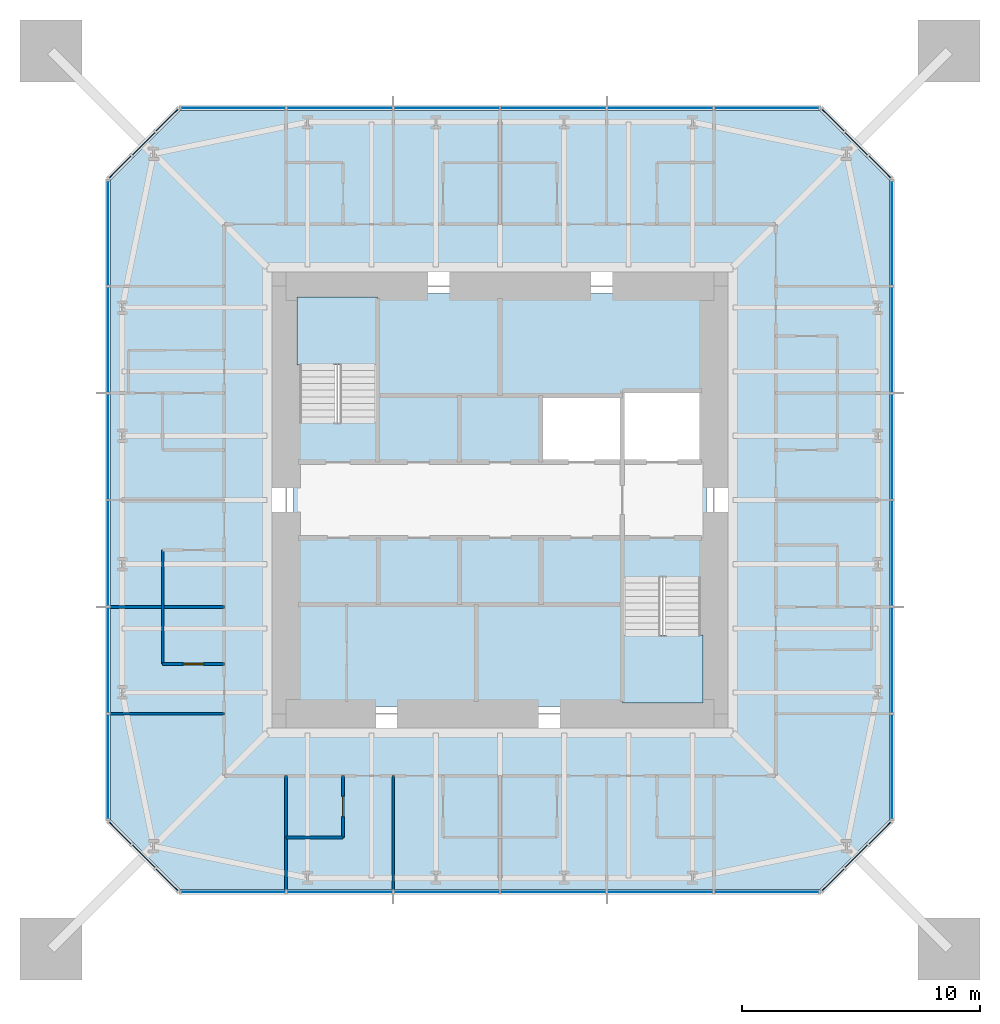
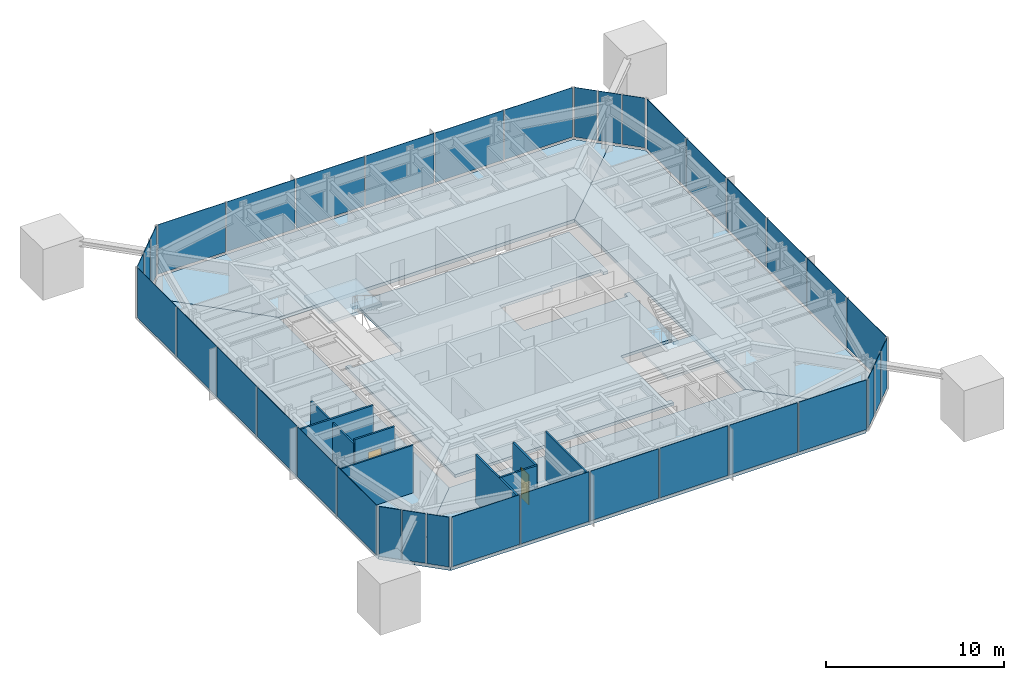
# One storey, part 5 of 10: 36 plates, 8 walls, 7 slabs, 2 doors, 2 openings, 10 elements without a shape of their own.
"""IFC4 building model written with IfcOpenShell, lengths in metres."""

from ifc_helpers import new_model, si_unit, direction, frame, frame_2d, origin, origin_2d, place, context, subcontext, project, spatial, polyline, rectangle, outline, extrude, material, layer, layer_set, constituent, constituent_set, type_object, element, fill, aggregate, save


model = new_model("IFC4")

# Units and contexts
model_context = context("Model", 3, precision=1e-05, world=origin(), true_north=direction((0.0, 1.0)))
body_context = subcontext(model_context, "Body", "Model", "MODEL_VIEW")
ifc_project = project(units=[si_unit("LENGTHUNIT", "METRE"), si_unit("AREAUNIT", "SQUARE_METRE"), si_unit("VOLUMEUNIT", "CUBIC_METRE"), si_unit("PLANEANGLEUNIT", "RADIAN"), si_unit("MASSUNIT", "GRAM", prefix="KILO")], contexts=[model_context])

# Site, building, storey
site_placement = place(None, origin())
site = spatial("IfcSite", under=ifc_project, at=site_placement, CompositionType="ELEMENT")
building_placement = place(site_placement, origin())
building = spatial("IfcBuilding", under=site, at=building_placement, Name="Iwan Alto Co-Living Towers", CompositionType="ELEMENT")
storey_placement = place(building_placement, frame((0.0, 0.0, 225.5)))
storey = spatial("IfcBuildingStorey", under=building, at=storey_placement, Name="L61", CompositionType="ELEMENT", Elevation=225.5)

# Slab
ifc_material_1 = material(Name="Concrete f'c 30 MPa", Category="concrete")
ifc_layer_1 = layer(ifc_material_1, 0.199951171875)
ifc_layer_set_1 = layer_set([ifc_layer_1], Name="CORE FLOOR SLAB 200")
slab_type_1 = type_object("IfcSlabType", Name="CORE FLOOR SLAB 200", PredefinedType="FLOOR", material=ifc_layer_set_1)
slab_1_placement = place(storey_placement, frame((0.0, 0.0, -0.199951171875)))
element("IfcSlab", 1, at=slab_1_placement, inside=storey, type_object=slab_type_1, Name="T1 core floor L61", PredefinedType="FLOOR", context=body_context, shape_type="SweptSolid", body=[
    extrude(outline(polyline([(-8.699951171875, 3.580078125), (-8.39990234375, 3.580078125), (-8.39990234375, 3.27001953125), (-5.14990234375, 3.27001953125), (-5.14990234375, 8.39990234375), (-5.4599609375, 8.39990234375), (-5.4599609375, 8.699951171875), (8.699951171875, 8.699951171875), (8.699951171875, 4.2900390625), (8.39990234375, 4.2900390625), (8.39990234375, 4.60009765625), (5.14990234375, 4.60009765625), (5.14990234375, 4.39990234375), (1.717041015625, 4.39990234375), (1.717041015625, 1.60009765625), (5.14990234375, 1.60009765625), (8.39990234375, 1.60009765625), (8.39990234375, 1.909912109375), (8.699951171875, 1.909912109375), (8.699951171875, -3.580078125), (8.39990234375, -3.580078125), (8.39990234375, -3.27001953125), (5.14990234375, -3.27001953125), (5.14990234375, -8.39990234375), (5.4599609375, -8.39990234375), (5.4599609375, -8.699951171875), (-8.699951171875, -8.699951171875), (-8.699951171875, 3.580078125)])), origin(), (0.0, 0.0, 1.0), 0.199951171875),
])

# Curtain wall, plates
ifc_material_2 = material(Name="Bronze aluminium unitised frame", Category="aluminium")
curtain_wall_type_1 = type_object("IfcCurtainWallType", Name="CURTAIN WALL CW-A", PredefinedType="NOTDEFINED", material=ifc_material_2)
curtain_wall_1_placement = place(storey_placement, origin())
curtain_wall_1 = element("IfcCurtainWall", 2, at=curtain_wall_1_placement, inside=storey, type_object=curtain_wall_type_1, Name="T1 curtain wall S L61", PredefinedType="NOTDEFINED")
ifc_material_3 = material(Name="Bronze-tinted insulating glass", Category="glass")
ifc_layer_2 = layer(ifc_material_3, 0.031982421875)
ifc_layer_set_2 = layer_set([ifc_layer_2], Name="CW-A PANEL TINTED IGU 32")
plate_type_1 = type_object("IfcPlateType", Name="CW-A PANEL TINTED IGU 32", PredefinedType="CURTAIN_PANEL", material=ifc_layer_set_2)
plate_1_placement = place(storey_placement, frame((-11.22998046875, -16.5, 0.10009765625), z_axis=(0.0, 0.0, 1.0), x_axis=(1.0, 0.0, 0.0)))
plate_1 = element("IfcPlate", 3, at=plate_1_placement, type_object=plate_type_1, Name="CW-A panel 1.1", PredefinedType="CURTAIN_PANEL", context=body_context, shape_type="SweptSolid", body=[
    extrude(rectangle(XDim=4.3798828125, YDim=0.031982421875, at=origin_2d()), origin(), (0.0, 0.0, 1.0), 3.39990234375),
])
plate_2_placement = place(storey_placement, frame((-6.75, -16.5, 0.10009765625), z_axis=(0.0, 0.0, 1.0), x_axis=(1.0, 0.0, 0.0)))
plate_2 = element("IfcPlate", 4, at=plate_2_placement, type_object=plate_type_1, Name="CW-A panel 2.1", PredefinedType="CURTAIN_PANEL", context=body_context, shape_type="SweptSolid", body=[
    extrude(rectangle(XDim=4.419921875, YDim=0.031982421875, at=origin_2d()), origin(), (0.0, 0.0, 1.0), 3.39990234375),
])
plate_3_placement = place(storey_placement, frame((-2.25, -16.5, 0.10009765625), z_axis=(0.0, 0.0, 1.0), x_axis=(1.0, 0.0, 0.0)))
plate_3 = element("IfcPlate", 5, at=plate_3_placement, type_object=plate_type_1, Name="CW-A panel 3.1", PredefinedType="CURTAIN_PANEL", context=body_context, shape_type="SweptSolid", body=[
    extrude(rectangle(XDim=4.419921875, YDim=0.031982421875, at=origin_2d()), origin(), (0.0, 0.0, 1.0), 3.39990234375),
])
plate_4_placement = place(storey_placement, frame((2.25, -16.5, 0.10009765625), z_axis=(0.0, 0.0, 1.0), x_axis=(1.0, 0.0, 0.0)))
plate_4 = element("IfcPlate", 6, at=plate_4_placement, type_object=plate_type_1, Name="CW-A panel 4.1", PredefinedType="CURTAIN_PANEL", context=body_context, shape_type="SweptSolid", body=[
    extrude(rectangle(XDim=4.419921875, YDim=0.031982421875, at=origin_2d()), origin(), (0.0, 0.0, 1.0), 3.39990234375),
])
plate_5_placement = place(storey_placement, frame((6.75, -16.5, 0.10009765625), z_axis=(0.0, 0.0, 1.0), x_axis=(1.0, 0.0, 0.0)))
plate_5 = element("IfcPlate", 7, at=plate_5_placement, type_object=plate_type_1, Name="CW-A panel 5.1", PredefinedType="CURTAIN_PANEL", context=body_context, shape_type="SweptSolid", body=[
    extrude(rectangle(XDim=4.419921875, YDim=0.031982421875, at=origin_2d()), origin(), (0.0, 0.0, 1.0), 3.39990234375),
])
plate_6_placement = place(storey_placement, frame((11.22998046875, -16.5, 0.10009765625), z_axis=(0.0, 0.0, 1.0), x_axis=(1.0, 0.0, 0.0)))
plate_6 = element("IfcPlate", 8, at=plate_6_placement, type_object=plate_type_1, Name="CW-A panel 6.1", PredefinedType="CURTAIN_PANEL", context=body_context, shape_type="SweptSolid", body=[
    extrude(rectangle(XDim=4.3798828125, YDim=0.031982421875, at=origin_2d()), origin(), (0.0, 0.0, 1.0), 3.39990234375),
])
aggregate(curtain_wall_1, [plate_1, plate_2, plate_3, plate_4, plate_5, plate_6])

curtain_wall_2_placement = place(storey_placement, origin())
curtain_wall_2 = element("IfcCurtainWall", 9, at=curtain_wall_2_placement, inside=storey, type_object=curtain_wall_type_1, Name="T1 curtain wall E L61", PredefinedType="NOTDEFINED")
plate_7_placement = place(storey_placement, frame((16.5, -11.22998046875, 0.10009765625), z_axis=(0.0, 0.0, 1.0), x_axis=(0.0, 1.0, 0.0)))
plate_7 = element("IfcPlate", 10, at=plate_7_placement, type_object=plate_type_1, Name="CW-A panel 1.1", PredefinedType="CURTAIN_PANEL", context=body_context, shape_type="SweptSolid", body=[
    extrude(rectangle(XDim=4.3798828125, YDim=0.031982421875, at=origin_2d()), origin(), (0.0, 0.0, 1.0), 3.39990234375),
])
plate_8_placement = place(storey_placement, frame((16.5, -6.75, 0.10009765625), z_axis=(0.0, 0.0, 1.0), x_axis=(0.0, 1.0, 0.0)))
plate_8 = element("IfcPlate", 11, at=plate_8_placement, type_object=plate_type_1, Name="CW-A panel 2.1", PredefinedType="CURTAIN_PANEL", context=body_context, shape_type="SweptSolid", body=[
    extrude(rectangle(XDim=4.419921875, YDim=0.031982421875, at=origin_2d()), origin(), (0.0, 0.0, 1.0), 3.39990234375),
])
plate_9_placement = place(storey_placement, frame((16.5, -2.25, 0.10009765625), z_axis=(0.0, 0.0, 1.0), x_axis=(0.0, 1.0, 0.0)))
plate_9 = element("IfcPlate", 12, at=plate_9_placement, type_object=plate_type_1, Name="CW-A panel 3.1", PredefinedType="CURTAIN_PANEL", context=body_context, shape_type="SweptSolid", body=[
    extrude(rectangle(XDim=4.419921875, YDim=0.031982421875, at=origin_2d()), origin(), (0.0, 0.0, 1.0), 3.39990234375),
])
plate_10_placement = place(storey_placement, frame((16.5, 2.25, 0.10009765625), z_axis=(0.0, 0.0, 1.0), x_axis=(0.0, 1.0, 0.0)))
plate_10 = element("IfcPlate", 13, at=plate_10_placement, type_object=plate_type_1, Name="CW-A panel 4.1", PredefinedType="CURTAIN_PANEL", context=body_context, shape_type="SweptSolid", body=[
    extrude(rectangle(XDim=4.419921875, YDim=0.031982421875, at=origin_2d()), origin(), (0.0, 0.0, 1.0), 3.39990234375),
])
plate_11_placement = place(storey_placement, frame((16.5, 6.75, 0.10009765625), z_axis=(0.0, 0.0, 1.0), x_axis=(0.0, 1.0, 0.0)))
plate_11 = element("IfcPlate", 14, at=plate_11_placement, type_object=plate_type_1, Name="CW-A panel 5.1", PredefinedType="CURTAIN_PANEL", context=body_context, shape_type="SweptSolid", body=[
    extrude(rectangle(XDim=4.419921875, YDim=0.031982421875, at=origin_2d()), origin(), (0.0, 0.0, 1.0), 3.39990234375),
])
plate_12_placement = place(storey_placement, frame((16.5, 11.22998046875, 0.10009765625), z_axis=(0.0, 0.0, 1.0), x_axis=(0.0, 1.0, 0.0)))
plate_12 = element("IfcPlate", 15, at=plate_12_placement, type_object=plate_type_1, Name="CW-A panel 6.1", PredefinedType="CURTAIN_PANEL", context=body_context, shape_type="SweptSolid", body=[
    extrude(rectangle(XDim=4.3798828125, YDim=0.031982421875, at=origin_2d()), origin(), (0.0, 0.0, 1.0), 3.39990234375),
])
aggregate(curtain_wall_2, [plate_7, plate_8, plate_9, plate_10, plate_11, plate_12])

curtain_wall_3_placement = place(storey_placement, origin())
curtain_wall_3 = element("IfcCurtainWall", 16, at=curtain_wall_3_placement, inside=storey, type_object=curtain_wall_type_1, Name="T1 curtain wall N L61", PredefinedType="NOTDEFINED")
plate_13_placement = place(storey_placement, frame((11.22998046875, 16.5, 0.10009765625), z_axis=(0.0, 0.0, 1.0), x_axis=(-1.0, 0.0, 0.0)))
plate_13 = element("IfcPlate", 17, at=plate_13_placement, type_object=plate_type_1, Name="CW-A panel 1.1", PredefinedType="CURTAIN_PANEL", context=body_context, shape_type="SweptSolid", body=[
    extrude(rectangle(XDim=4.3798828125, YDim=0.031982421875, at=origin_2d()), origin(), (0.0, 0.0, 1.0), 3.39990234375),
])
plate_14_placement = place(storey_placement, frame((6.75, 16.5, 0.10009765625), z_axis=(0.0, 0.0, 1.0), x_axis=(-1.0, 0.0, 0.0)))
plate_14 = element("IfcPlate", 18, at=plate_14_placement, type_object=plate_type_1, Name="CW-A panel 2.1", PredefinedType="CURTAIN_PANEL", context=body_context, shape_type="SweptSolid", body=[
    extrude(rectangle(XDim=4.419921875, YDim=0.031982421875, at=origin_2d()), origin(), (0.0, 0.0, 1.0), 3.39990234375),
])
plate_15_placement = place(storey_placement, frame((2.25, 16.5, 0.10009765625), z_axis=(0.0, 0.0, 1.0), x_axis=(-1.0, 0.0, 0.0)))
plate_15 = element("IfcPlate", 19, at=plate_15_placement, type_object=plate_type_1, Name="CW-A panel 3.1", PredefinedType="CURTAIN_PANEL", context=body_context, shape_type="SweptSolid", body=[
    extrude(rectangle(XDim=4.419921875, YDim=0.031982421875, at=origin_2d()), origin(), (0.0, 0.0, 1.0), 3.39990234375),
])
plate_16_placement = place(storey_placement, frame((-2.25, 16.5, 0.10009765625), z_axis=(0.0, 0.0, 1.0), x_axis=(-1.0, 0.0, 0.0)))
plate_16 = element("IfcPlate", 20, at=plate_16_placement, type_object=plate_type_1, Name="CW-A panel 4.1", PredefinedType="CURTAIN_PANEL", context=body_context, shape_type="SweptSolid", body=[
    extrude(rectangle(XDim=4.419921875, YDim=0.031982421875, at=origin_2d()), origin(), (0.0, 0.0, 1.0), 3.39990234375),
])
plate_17_placement = place(storey_placement, frame((-6.75, 16.5, 0.10009765625), z_axis=(0.0, 0.0, 1.0), x_axis=(-1.0, 0.0, 0.0)))
plate_17 = element("IfcPlate", 21, at=plate_17_placement, type_object=plate_type_1, Name="CW-A panel 5.1", PredefinedType="CURTAIN_PANEL", context=body_context, shape_type="SweptSolid", body=[
    extrude(rectangle(XDim=4.419921875, YDim=0.031982421875, at=origin_2d()), origin(), (0.0, 0.0, 1.0), 3.39990234375),
])
plate_18_placement = place(storey_placement, frame((-11.22998046875, 16.5, 0.10009765625), z_axis=(0.0, 0.0, 1.0), x_axis=(-1.0, 0.0, 0.0)))
plate_18 = element("IfcPlate", 22, at=plate_18_placement, type_object=plate_type_1, Name="CW-A panel 6.1", PredefinedType="CURTAIN_PANEL", context=body_context, shape_type="SweptSolid", body=[
    extrude(rectangle(XDim=4.3798828125, YDim=0.031982421875, at=origin_2d()), origin(), (0.0, 0.0, 1.0), 3.39990234375),
])
aggregate(curtain_wall_3, [plate_13, plate_14, plate_15, plate_16, plate_17, plate_18])

curtain_wall_4_placement = place(storey_placement, origin())
curtain_wall_4 = element("IfcCurtainWall", 23, at=curtain_wall_4_placement, inside=storey, type_object=curtain_wall_type_1, Name="T1 curtain wall W L61", PredefinedType="NOTDEFINED")
plate_19_placement = place(storey_placement, frame((-16.5, 11.22998046875, 0.10009765625), z_axis=(0.0, 0.0, 1.0), x_axis=(0.0, -1.0, 0.0)))
plate_19 = element("IfcPlate", 24, at=plate_19_placement, type_object=plate_type_1, Name="CW-A panel 1.1", PredefinedType="CURTAIN_PANEL", context=body_context, shape_type="SweptSolid", body=[
    extrude(rectangle(XDim=4.3798828125, YDim=0.031982421875, at=origin_2d()), origin(), (0.0, 0.0, 1.0), 3.39990234375),
])
plate_20_placement = place(storey_placement, frame((-16.5, 6.75, 0.10009765625), z_axis=(0.0, 0.0, 1.0), x_axis=(0.0, -1.0, 0.0)))
plate_20 = element("IfcPlate", 25, at=plate_20_placement, type_object=plate_type_1, Name="CW-A panel 2.1", PredefinedType="CURTAIN_PANEL", context=body_context, shape_type="SweptSolid", body=[
    extrude(rectangle(XDim=4.419921875, YDim=0.031982421875, at=origin_2d()), origin(), (0.0, 0.0, 1.0), 3.39990234375),
])
plate_21_placement = place(storey_placement, frame((-16.5, 2.25, 0.10009765625), z_axis=(0.0, 0.0, 1.0), x_axis=(0.0, -1.0, 0.0)))
plate_21 = element("IfcPlate", 26, at=plate_21_placement, type_object=plate_type_1, Name="CW-A panel 3.1", PredefinedType="CURTAIN_PANEL", context=body_context, shape_type="SweptSolid", body=[
    extrude(rectangle(XDim=4.419921875, YDim=0.031982421875, at=origin_2d()), origin(), (0.0, 0.0, 1.0), 3.39990234375),
])
plate_22_placement = place(storey_placement, frame((-16.5, -2.25, 0.10009765625), z_axis=(0.0, 0.0, 1.0), x_axis=(0.0, -1.0, 0.0)))
plate_22 = element("IfcPlate", 27, at=plate_22_placement, type_object=plate_type_1, Name="CW-A panel 4.1", PredefinedType="CURTAIN_PANEL", context=body_context, shape_type="SweptSolid", body=[
    extrude(rectangle(XDim=4.419921875, YDim=0.031982421875, at=origin_2d()), origin(), (0.0, 0.0, 1.0), 3.39990234375),
])
plate_23_placement = place(storey_placement, frame((-16.5, -6.75, 0.10009765625), z_axis=(0.0, 0.0, 1.0), x_axis=(0.0, -1.0, 0.0)))
plate_23 = element("IfcPlate", 28, at=plate_23_placement, type_object=plate_type_1, Name="CW-A panel 5.1", PredefinedType="CURTAIN_PANEL", context=body_context, shape_type="SweptSolid", body=[
    extrude(rectangle(XDim=4.419921875, YDim=0.031982421875, at=origin_2d()), origin(), (0.0, 0.0, 1.0), 3.39990234375),
])
plate_24_placement = place(storey_placement, frame((-16.5, -11.22998046875, 0.10009765625), z_axis=(0.0, 0.0, 1.0), x_axis=(0.0, -1.0, 0.0)))
plate_24 = element("IfcPlate", 29, at=plate_24_placement, type_object=plate_type_1, Name="CW-A panel 6.1", PredefinedType="CURTAIN_PANEL", context=body_context, shape_type="SweptSolid", body=[
    extrude(rectangle(XDim=4.3798828125, YDim=0.031982421875, at=origin_2d()), origin(), (0.0, 0.0, 1.0), 3.39990234375),
])
aggregate(curtain_wall_4, [plate_19, plate_20, plate_21, plate_22, plate_23, plate_24])

ifc_material_4 = material(Name="Bronze aluminium unitised frame", Category="aluminium")
curtain_wall_type_2 = type_object("IfcCurtainWallType", Name="CURTAIN WALL CW-B", PredefinedType="NOTDEFINED", material=ifc_material_4)
curtain_wall_5_placement = place(storey_placement, origin())
curtain_wall_5 = element("IfcCurtainWall", 30, at=curtain_wall_5_placement, inside=storey, type_object=curtain_wall_type_2, Name="T1 chamfer curtain wall SE L61", PredefinedType="NOTDEFINED")
ifc_material_5 = material(Name="Bronze-tinted insulating glass", Category="glass")
ifc_layer_3 = layer(ifc_material_5, 0.031982421875)
ifc_layer_set_3 = layer_set([ifc_layer_3], Name="CW-B PANEL TINTED IGU 32")
plate_type_2 = type_object("IfcPlateType", Name="CW-B PANEL TINTED IGU 32", PredefinedType="CURTAIN_PANEL", material=ifc_layer_set_3)
plate_25_placement = place(storey_placement, frame((14.01416015625, -15.98583984375, 0.10009765625), z_axis=(0.0, 0.0, 1.0), x_axis=(0.707106781187, 0.707106781187, 0.0)))
plate_25 = element("IfcPlate", 31, at=plate_25_placement, type_object=plate_type_2, Name="CW-B panel 1.1", PredefinedType="CURTAIN_PANEL", context=body_context, shape_type="SweptSolid", body=[
    extrude(rectangle(XDim=1.294189453125, YDim=0.031982421875, at=origin_2d()), origin(), (0.0, 0.0, 1.0), 3.39990234375),
])
plate_26_placement = place(storey_placement, frame((15.0, -15.0, 0.10009765625), z_axis=(0.0, 0.0, 1.0), x_axis=(0.707106781187, 0.707106781187, 0.0)))
plate_26 = element("IfcPlate", 32, at=plate_26_placement, type_object=plate_type_2, Name="CW-B panel 2.1", PredefinedType="CURTAIN_PANEL", context=body_context, shape_type="SweptSolid", body=[
    extrude(rectangle(XDim=1.334228515625, YDim=0.031982421875, at=origin_2d()), origin(), (0.0, 0.0, 1.0), 3.39990234375),
])
plate_27_placement = place(storey_placement, frame((15.98583984375, -14.01416015625, 0.10009765625), z_axis=(0.0, 0.0, 1.0), x_axis=(0.707106781187, 0.707106781187, 0.0)))
plate_27 = element("IfcPlate", 33, at=plate_27_placement, type_object=plate_type_2, Name="CW-B panel 3.1", PredefinedType="CURTAIN_PANEL", context=body_context, shape_type="SweptSolid", body=[
    extrude(rectangle(XDim=1.294189453125, YDim=0.031982421875, at=origin_2d()), origin(), (0.0, 0.0, 1.0), 3.39990234375),
])
aggregate(curtain_wall_5, [plate_25, plate_26, plate_27])

curtain_wall_6_placement = place(storey_placement, origin())
curtain_wall_6 = element("IfcCurtainWall", 34, at=curtain_wall_6_placement, inside=storey, type_object=curtain_wall_type_2, Name="T1 chamfer curtain wall NE L61", PredefinedType="NOTDEFINED")
plate_28_placement = place(storey_placement, frame((15.98583984375, 14.01416015625, 0.10009765625), z_axis=(0.0, 0.0, 1.0), x_axis=(-0.707106781187, 0.707106781187, 0.0)))
plate_28 = element("IfcPlate", 35, at=plate_28_placement, type_object=plate_type_2, Name="CW-B panel 1.1", PredefinedType="CURTAIN_PANEL", context=body_context, shape_type="SweptSolid", body=[
    extrude(rectangle(XDim=1.294189453125, YDim=0.031982421875, at=origin_2d()), origin(), (0.0, 0.0, 1.0), 3.39990234375),
])
plate_29_placement = place(storey_placement, frame((15.0, 15.0, 0.10009765625), z_axis=(0.0, 0.0, 1.0), x_axis=(-0.707106781187, 0.707106781187, 0.0)))
plate_29 = element("IfcPlate", 36, at=plate_29_placement, type_object=plate_type_2, Name="CW-B panel 2.1", PredefinedType="CURTAIN_PANEL", context=body_context, shape_type="SweptSolid", body=[
    extrude(rectangle(XDim=1.334228515625, YDim=0.031982421875, at=origin_2d()), origin(), (0.0, 0.0, 1.0), 3.39990234375),
])
plate_30_placement = place(storey_placement, frame((14.01416015625, 15.98583984375, 0.10009765625), z_axis=(0.0, 0.0, 1.0), x_axis=(-0.707106781187, 0.707106781187, 0.0)))
plate_30 = element("IfcPlate", 37, at=plate_30_placement, type_object=plate_type_2, Name="CW-B panel 3.1", PredefinedType="CURTAIN_PANEL", context=body_context, shape_type="SweptSolid", body=[
    extrude(rectangle(XDim=1.294189453125, YDim=0.031982421875, at=origin_2d()), origin(), (0.0, 0.0, 1.0), 3.39990234375),
])
aggregate(curtain_wall_6, [plate_28, plate_29, plate_30])

curtain_wall_7_placement = place(storey_placement, origin())
curtain_wall_7 = element("IfcCurtainWall", 38, at=curtain_wall_7_placement, inside=storey, type_object=curtain_wall_type_2, Name="T1 chamfer curtain wall NW L61", PredefinedType="NOTDEFINED")
plate_31_placement = place(storey_placement, frame((-14.01416015625, 15.98583984375, 0.10009765625), z_axis=(0.0, 0.0, 1.0), x_axis=(-0.707106781187, -0.707106781187, 0.0)))
plate_31 = element("IfcPlate", 39, at=plate_31_placement, type_object=plate_type_2, Name="CW-B panel 1.1", PredefinedType="CURTAIN_PANEL", context=body_context, shape_type="SweptSolid", body=[
    extrude(rectangle(XDim=1.294189453125, YDim=0.031982421875, at=origin_2d()), origin(), (0.0, 0.0, 1.0), 3.39990234375),
])
plate_32_placement = place(storey_placement, frame((-15.0, 15.0, 0.10009765625), z_axis=(0.0, 0.0, 1.0), x_axis=(-0.707106781187, -0.707106781187, 0.0)))
plate_32 = element("IfcPlate", 40, at=plate_32_placement, type_object=plate_type_2, Name="CW-B panel 2.1", PredefinedType="CURTAIN_PANEL", context=body_context, shape_type="SweptSolid", body=[
    extrude(rectangle(XDim=1.334228515625, YDim=0.031982421875, at=origin_2d()), origin(), (0.0, 0.0, 1.0), 3.39990234375),
])
plate_33_placement = place(storey_placement, frame((-15.98583984375, 14.01416015625, 0.10009765625), z_axis=(0.0, 0.0, 1.0), x_axis=(-0.707106781187, -0.707106781187, 0.0)))
plate_33 = element("IfcPlate", 41, at=plate_33_placement, type_object=plate_type_2, Name="CW-B panel 3.1", PredefinedType="CURTAIN_PANEL", context=body_context, shape_type="SweptSolid", body=[
    extrude(rectangle(XDim=1.294189453125, YDim=0.031982421875, at=origin_2d()), origin(), (0.0, 0.0, 1.0), 3.39990234375),
])
aggregate(curtain_wall_7, [plate_31, plate_32, plate_33])

curtain_wall_8_placement = place(storey_placement, origin())
curtain_wall_8 = element("IfcCurtainWall", 42, at=curtain_wall_8_placement, inside=storey, type_object=curtain_wall_type_2, Name="T1 chamfer curtain wall SW L61", PredefinedType="NOTDEFINED")
plate_34_placement = place(storey_placement, frame((-15.98583984375, -14.01416015625, 0.10009765625), z_axis=(0.0, 0.0, 1.0), x_axis=(0.707106781187, -0.707106781187, 0.0)))
plate_34 = element("IfcPlate", 43, at=plate_34_placement, type_object=plate_type_2, Name="CW-B panel 1.1", PredefinedType="CURTAIN_PANEL", context=body_context, shape_type="SweptSolid", body=[
    extrude(rectangle(XDim=1.294189453125, YDim=0.031982421875, at=origin_2d()), origin(), (0.0, 0.0, 1.0), 3.39990234375),
])
plate_35_placement = place(storey_placement, frame((-15.0, -15.0, 0.10009765625), z_axis=(0.0, 0.0, 1.0), x_axis=(0.707106781187, -0.707106781187, 0.0)))
plate_35 = element("IfcPlate", 44, at=plate_35_placement, type_object=plate_type_2, Name="CW-B panel 2.1", PredefinedType="CURTAIN_PANEL", context=body_context, shape_type="SweptSolid", body=[
    extrude(rectangle(XDim=1.334228515625, YDim=0.031982421875, at=origin_2d()), origin(), (0.0, 0.0, 1.0), 3.39990234375),
])
plate_36_placement = place(storey_placement, frame((-14.01416015625, -15.98583984375, 0.10009765625), z_axis=(0.0, 0.0, 1.0), x_axis=(0.707106781187, -0.707106781187, 0.0)))
plate_36 = element("IfcPlate", 45, at=plate_36_placement, type_object=plate_type_2, Name="CW-B panel 3.1", PredefinedType="CURTAIN_PANEL", context=body_context, shape_type="SweptSolid", body=[
    extrude(rectangle(XDim=1.294189453125, YDim=0.031982421875, at=origin_2d()), origin(), (0.0, 0.0, 1.0), 3.39990234375),
])
aggregate(curtain_wall_8, [plate_34, plate_35, plate_36])

# Stair, slab
ifc_material_6 = material(Name="Steel ASTM A36", Category="steel")
ifc_constituent_1 = constituent(ifc_material_6, Name="Stringers", Category="LoadBearing")
ifc_material_7 = material(Name="Concrete f'c 30 MPa", Category="concrete")
ifc_constituent_2 = constituent(ifc_material_7, Name="Tread fill", Category="Finish")
ifc_constituent_set = constituent_set(constituents=[ifc_constituent_1, ifc_constituent_2], Name="STAIR 3500 TWO-FLIGHT T1 CORE")
stair_type = type_object("IfcStairType", Name="STAIR 3500 TWO-FLIGHT T1 CORE", PredefinedType="HALF_TURN_STAIR", material=ifc_constituent_set)
stair_1_placement = place(storey_placement, origin())
stair_1 = element("IfcStair", 46, at=stair_1_placement, inside=storey, type_object=stair_type, Name="Stair T1-S1 L61 to L62", PredefinedType="HALF_TURN_STAIR")
ifc_material_8 = material(Name="Concrete f'c 30 MPa", Category="concrete")
ifc_layer_4 = layer(ifc_material_8, 0.199951171875)
ifc_layer_set_4 = layer_set([ifc_layer_4], Name="STAIR LANDING 200")
slab_type_2 = type_object("IfcSlabType", Name="STAIR LANDING 200", PredefinedType="LANDING", material=ifc_layer_set_4)
slab_2_placement = place(storey_placement, frame((0.0, 0.0, 1.550048828125)))
slab_2 = element("IfcSlab", 47, at=slab_2_placement, type_object=slab_type_2, Name="T1-S1 landing 1", PredefinedType="LANDING", context=body_context, shape_type="SweptSolid", body=[
    extrude(outline(polyline([(-8.550048828125, 5.68994140625), (-8.550048828125, 8.550048828125), (-5.14990234375, 8.550048828125), (-5.14990234375, 5.68994140625), (-8.550048828125, 5.68994140625)])), origin(), (0.0, 0.0, 1.0), 0.199951171875),
])
aggregate(stair_1, [slab_2])

stair_2_placement = place(storey_placement, origin())
stair_2 = element("IfcStair", 48, at=stair_2_placement, inside=storey, type_object=stair_type, Name="Stair T1-S2 L61 to L62", PredefinedType="HALF_TURN_STAIR")
slab_3_placement = place(storey_placement, frame((0.0, 0.0, 1.550048828125)))
slab_3 = element("IfcSlab", 49, at=slab_3_placement, type_object=slab_type_2, Name="T1-S2 landing 1", PredefinedType="LANDING", context=body_context, shape_type="SweptSolid", body=[
    extrude(outline(polyline([(5.14990234375, -5.68994140625), (5.14990234375, -8.550048828125), (8.550048828125, -8.550048828125), (8.550048828125, -5.68994140625), (5.14990234375, -5.68994140625)])), origin(), (0.0, 0.0, 1.0), 0.199951171875),
])
aggregate(stair_2, [slab_3])

# Slabs
ifc_material_9 = material(Name="Concrete f'c 30 MPa", Category="concrete")
ifc_layer_5 = layer(ifc_material_9, 0.22998046875)
ifc_layer_set_5 = layer_set([ifc_layer_5], Name="T1 FLOOR SLAB 230")
slab_type_3 = type_object("IfcSlabType", Name="T1 FLOOR SLAB 230", PredefinedType="FLOOR", material=ifc_layer_set_5)
slab_4_placement = place(storey_placement, frame((0.0, 0.0, -0.22998046875)))
element("IfcSlab", 50, at=slab_4_placement, inside=storey, type_object=slab_type_3, Name="T1 floor slab L61 S pour", PredefinedType="FLOOR", context=body_context, shape_type="SweptSolid", body=[
    extrude(outline(polyline([(13.44140625, -16.39990234375), (-13.44140625, -16.39990234375), (-14.920654296875, -14.920654296875), (-9.60009765625, -9.60009765625), (9.60009765625, -9.60009765625), (14.920654296875, -14.920654296875), (13.44140625, -16.39990234375)])), origin(), (0.0, 0.0, 1.0), 0.22998046875),
])
slab_5_placement = place(storey_placement, frame((0.0, 0.0, -0.22998046875)))
element("IfcSlab", 51, at=slab_5_placement, inside=storey, type_object=slab_type_3, Name="T1 floor slab L61 E pour", PredefinedType="FLOOR", context=body_context, shape_type="SweptSolid", body=[
    extrude(outline(polyline([(16.39990234375, 13.44140625), (16.39990234375, -13.44140625), (14.920654296875, -14.920654296875), (9.60009765625, -9.60009765625), (9.60009765625, 9.60009765625), (14.920654296875, 14.920654296875), (16.39990234375, 13.44140625)])), origin(), (0.0, 0.0, 1.0), 0.22998046875),
])
slab_6_placement = place(storey_placement, frame((0.0, 0.0, -0.22998046875)))
element("IfcSlab", 52, at=slab_6_placement, inside=storey, type_object=slab_type_3, Name="T1 floor slab L61 N pour", PredefinedType="FLOOR", context=body_context, shape_type="SweptSolid", body=[
    extrude(outline(polyline([(-13.44140625, 16.39990234375), (13.44140625, 16.39990234375), (14.920654296875, 14.920654296875), (9.60009765625, 9.60009765625), (-9.60009765625, 9.60009765625), (-14.920654296875, 14.920654296875), (-13.44140625, 16.39990234375)])), origin(), (0.0, 0.0, 1.0), 0.22998046875),
])
slab_7_placement = place(storey_placement, frame((0.0, 0.0, -0.22998046875)))
element("IfcSlab", 53, at=slab_7_placement, inside=storey, type_object=slab_type_3, Name="T1 floor slab L61 W pour", PredefinedType="FLOOR", context=body_context, shape_type="SweptSolid", body=[
    extrude(outline(polyline([(-16.39990234375, 13.44140625), (-14.920654296875, 14.920654296875), (-9.60009765625, 9.60009765625), (-9.60009765625, -9.60009765625), (-14.920654296875, -14.920654296875), (-16.39990234375, -13.44140625), (-16.39990234375, 13.44140625)])), origin(), (0.0, 0.0, 1.0), 0.22998046875),
])

# Walls
ifc_material_10 = material(Name="Gypsum board")
ifc_layer_6 = layer(ifc_material_10, 0.012451171875, Name="Board", Category="Finish")
ifc_material_11 = material(Name="Steel ASTM A1003 ST33H cold-formed studs", Category="steel")
ifc_layer_7 = layer(ifc_material_11, 0.074951171875, Name="Studs", Category="Framing")
ifc_layer_8 = layer(ifc_material_10, 0.012451171875, Name="Board", Category="Finish")
ifc_layer_set_6 = layer_set([ifc_layer_6, ifc_layer_7, ifc_layer_8], Name="PARTITION 100")
wall_type_1 = type_object("IfcWallType", Name="PARTITION 100", PredefinedType="PARTITIONING", material=ifc_layer_set_6)
for number, where, z_axis, x_axis, name in (
    (54, (-16.43994140625, -9.0, 0.0), (0.0, 0.0, 1.0), (1.0, 0.0, 0.0), "Partition L61"),
    (55, (-4.5, -16.43994140625, 0.0), (0.0, 0.0, 1.0), (0.0, 1.0, 0.0), "Partition L61"),
):
    element("IfcWall", number, at=place(storey_placement, frame(where, z_axis=z_axis, x_axis=x_axis)), inside=storey, type_object=wall_type_1, Name=name, PredefinedType="PARTITIONING", context=body_context, shape_type="SweptSolid", body=[
        extrude(rectangle(XDim=4.83984375, YDim=0.10009765625, at=frame_2d((2.419921875, 0.0))), origin(), (0.0, 0.0, 1.0), 3.27001953125),
    ])
wall_1_placement = place(storey_placement, frame((-14.199951171875, -6.89990234375, 0.0), z_axis=(0.0, 0.0, 1.0), x_axis=(0.0, 1.0, 0.0)))
element("IfcWall", 56, at=wall_1_placement, inside=storey, type_object=wall_type_1, Name="Partition L61", PredefinedType="PARTITIONING", context=body_context, shape_type="SweptSolid", body=[
    extrude(rectangle(XDim=4.7998046875, YDim=0.10009765625, at=frame_2d((2.39990234375, 0.0))), origin(), (0.0, 0.0, 1.0), 3.0),
])
ifc_material_12 = material(Name="Cement board")
ifc_layer_9 = layer(ifc_material_12, 0.012451171875, Name="Board", Category="Finish")
ifc_layer_10 = layer(ifc_material_11, 0.094970703125, Name="Studs", Category="Framing")
ifc_layer_11 = layer(ifc_material_12, 0.012451171875, Name="Board", Category="Finish")
ifc_layer_set_7 = layer_set([ifc_layer_9, ifc_layer_10, ifc_layer_11], Name="WET AREA PARTITION 120")
wall_type_2 = type_object("IfcWallType", Name="WET AREA PARTITION 120", PredefinedType="PARTITIONING", material=ifc_layer_set_7)
wall_2_placement = place(storey_placement, frame((-9.0, -14.199951171875, 0.0), z_axis=(0.0, 0.0, 1.0), x_axis=(1.0, 0.0, 0.0)))
element("IfcWall", 57, at=wall_2_placement, inside=storey, type_object=wall_type_2, Name="Partition L61", PredefinedType="PARTITIONING", context=body_context, shape_type="SweptSolid", body=[
    extrude(rectangle(XDim=2.39990234375, YDim=0.1201171875, at=frame_2d((1.199951171875, 0.0))), origin(), (0.0, 0.0, 1.0), 3.27001953125),
])

# Wall, opening, door
wall_3_placement = place(storey_placement, frame((-14.199951171875, -6.89990234375, 0.0), z_axis=(0.0, 0.0, 1.0), x_axis=(1.0, 0.0, 0.0)))
wall_3 = element("IfcWall", 58, at=wall_3_placement, inside=storey, type_object=wall_type_2, Name="Partition L61", PredefinedType="PARTITIONING", context=body_context, shape_type="SweptSolid", body=[
    extrude(rectangle(XDim=2.599853515625, YDim=0.1201171875, at=frame_2d((1.2998046875, 0.0))), origin(), (0.0, 0.0, 1.0), 3.27001953125),
])
opening_1_placement = place(wall_3_placement, frame((0.875, 0.0, 0.0)))
opening_1 = element("IfcOpeningElement", 59, at=opening_1_placement, cuts=wall_3, Name="Opening D2", PredefinedType="OPENING", context=body_context, shape_type="SweptSolid", body=[
    extrude(rectangle(XDim=0.85009765625, YDim=2.10009765625, at=frame_2d((0.425048828125, 1.050048828125))), frame((0.0, 0.070068359375, 0.0), z_axis=(0.0, -1.0, 0.0), x_axis=(1.0, 0.0, 0.0)), (0.0, 0.0, 1.0), 0.14013671875),
])
ifc_material_13 = material(Name="Timber leaf in steel frame", Category="steel")
door_type = type_object("IfcDoorType", Name="ROOM DOOR 850X2100", OperationType="SINGLE_SWING_LEFT", PredefinedType="DOOR", material=ifc_material_13)
door_1_placement = place(opening_1_placement, frame((0.85009765625, 0.0, 0.0), z_axis=(0.0, 0.0, 1.0), x_axis=(-1.0, 0.0, 0.0)))
door_1 = element("IfcDoor", 60, at=door_1_placement, inside=storey, type_object=door_type, Name="En-suite shower room door L61", OperationType="SINGLE_SWING_LEFT", OverallHeight=2.10009765625, OverallWidth=0.85009765625, PredefinedType="DOOR", context=body_context, shape_type="SweptSolid", body=[
    extrude(rectangle(XDim=0.85009765625, YDim=2.10009765625, at=frame_2d((0.425048828125, 1.050048828125))), frame((0.0, 0.02490234375, 0.0), z_axis=(0.0, -1.0, 0.0), x_axis=(1.0, 0.0, 0.0)), (0.0, 0.0, 1.0), 0.050048828125),
])
fill(opening_1, door_1)

# Wall
wall_4_placement = place(storey_placement, frame((-16.43994140625, -4.5, 0.0), z_axis=(0.0, 0.0, 1.0), x_axis=(1.0, 0.0, 0.0)))
element("IfcWall", 61, at=wall_4_placement, inside=storey, type_object=wall_type_2, Name="Partition L61", PredefinedType="PARTITIONING", context=body_context, shape_type="SweptSolid", body=[
    extrude(rectangle(XDim=4.83984375, YDim=0.1201171875, at=frame_2d((2.419921875, 0.0))), origin(), (0.0, 0.0, 1.0), 3.27001953125),
])

# Wall, opening, door
wall_5_placement = place(storey_placement, frame((-6.60009765625, -14.199951171875, 0.0), z_axis=(0.0, 0.0, 1.0), x_axis=(0.0, 1.0, 0.0)))
wall_5 = element("IfcWall", 62, at=wall_5_placement, inside=storey, type_object=wall_type_2, Name="Partition L61", PredefinedType="PARTITIONING", context=body_context, shape_type="SweptSolid", body=[
    extrude(rectangle(XDim=2.599853515625, YDim=0.1201171875, at=frame_2d((1.2998046875, 0.0))), origin(), (0.0, 0.0, 1.0), 3.27001953125),
])
opening_2_placement = place(wall_5_placement, frame((0.875, 0.0, 0.0)))
opening_2 = element("IfcOpeningElement", 63, at=opening_2_placement, cuts=wall_5, Name="Opening D2", PredefinedType="OPENING", context=body_context, shape_type="SweptSolid", body=[
    extrude(rectangle(XDim=0.85009765625, YDim=2.10009765625, at=frame_2d((0.425048828125, 1.050048828125))), frame((0.0, 0.070068359375, 0.0), z_axis=(0.0, -1.0, 0.0), x_axis=(1.0, 0.0, 0.0)), (0.0, 0.0, 1.0), 0.14013671875),
])
door_2_placement = place(opening_2_placement, frame((0.85009765625, 0.0, 0.0), z_axis=(0.0, 0.0, 1.0), x_axis=(-1.0, 0.0, 0.0)))
door_2 = element("IfcDoor", 64, at=door_2_placement, inside=storey, type_object=door_type, Name="En-suite shower room door L61", OperationType="SINGLE_SWING_LEFT", OverallHeight=2.10009765625, OverallWidth=0.85009765625, PredefinedType="DOOR", context=body_context, shape_type="SweptSolid", body=[
    extrude(rectangle(XDim=0.85009765625, YDim=2.10009765625, at=frame_2d((0.425048828125, 1.050048828125))), frame((0.0, 0.02490234375, 0.0), z_axis=(0.0, -1.0, 0.0), x_axis=(1.0, 0.0, 0.0)), (0.0, 0.0, 1.0), 0.050048828125),
])
fill(opening_2, door_2)

# Wall
wall_6_placement = place(storey_placement, frame((-9.0, -16.43994140625, 0.0), z_axis=(0.0, 0.0, 1.0), x_axis=(0.0, 1.0, 0.0)))
element("IfcWall", 65, at=wall_6_placement, inside=storey, type_object=wall_type_2, Name="Partition L61", PredefinedType="PARTITIONING", context=body_context, shape_type="SweptSolid", body=[
    extrude(rectangle(XDim=4.83984375, YDim=0.1201171875, at=frame_2d((2.419921875, 0.0))), origin(), (0.0, 0.0, 1.0), 3.27001953125),
])

save(model, "model.ifc")
